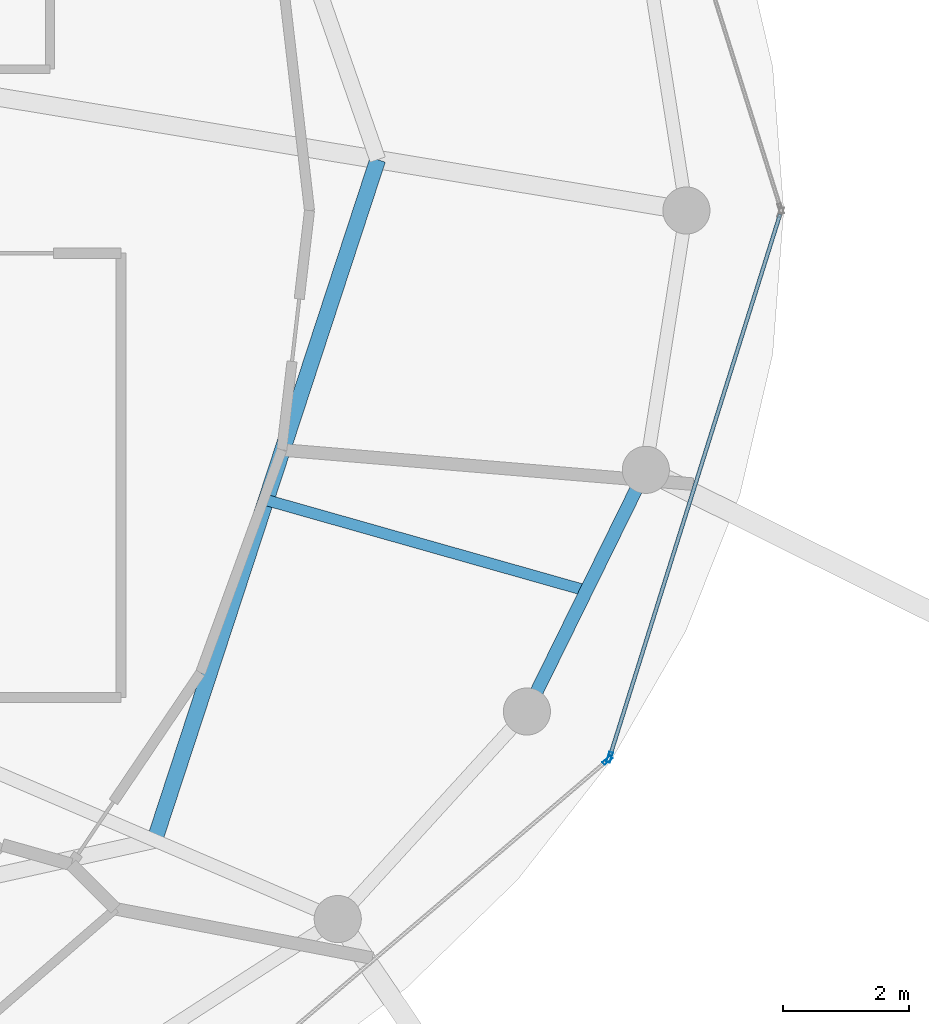
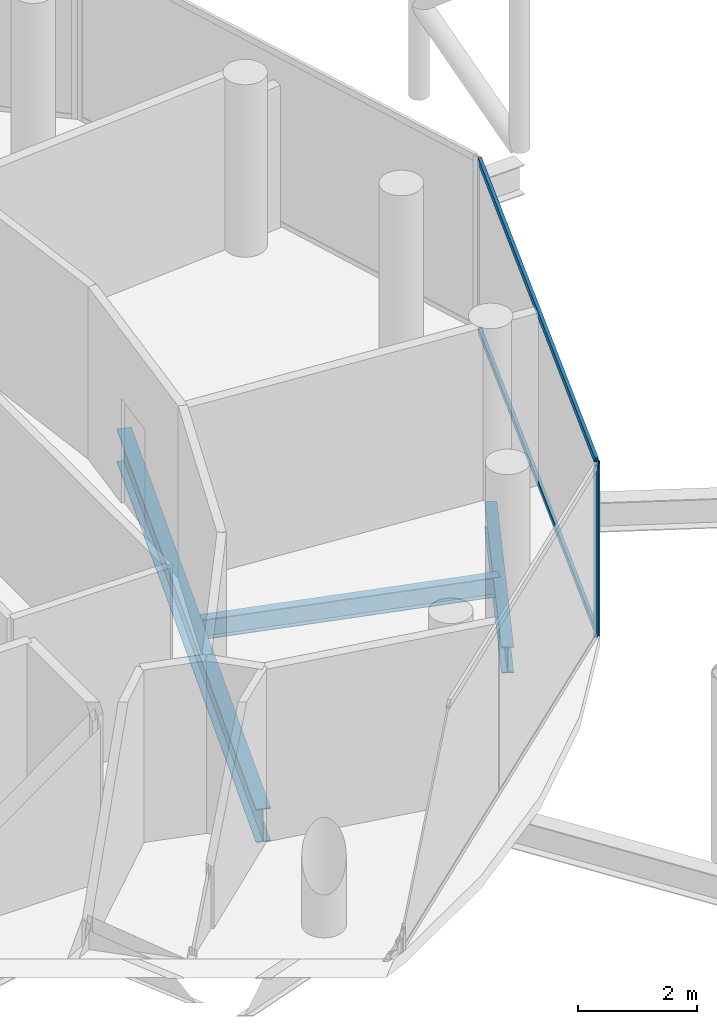
# One storey, part 10 of 24: 4 members, 3 beams, 2 elements without a shape of their own.
"""IFC4 building model written with IfcOpenShell, lengths in metres."""

from ifc_helpers import new_model, si_unit, direction, frame, origin, origin_2d, place, context, subcontext, project, spatial, hollow_rectangle, i_section, extrude, material, layer, layer_set, material_profile, profile_set, type_object, element, aggregate, save


model = new_model("IFC4")

# Units and contexts
model_context = context("Model", 3, precision=1e-05, world=origin(), true_north=direction((0.0, 1.0)))
body_context = subcontext(model_context, "Body", "Model", "MODEL_VIEW")
ifc_project = project(units=[si_unit("LENGTHUNIT", "METRE"), si_unit("AREAUNIT", "SQUARE_METRE"), si_unit("VOLUMEUNIT", "CUBIC_METRE"), si_unit("PLANEANGLEUNIT", "RADIAN"), si_unit("MASSUNIT", "GRAM", prefix="KILO")], contexts=[model_context])

# Site, building, storey
site_placement = place(None, origin())
site = spatial("IfcSite", under=ifc_project, at=site_placement, CompositionType="ELEMENT")
building_placement = place(site_placement, origin())
building = spatial("IfcBuilding", under=site, at=building_placement, Name="Nuhasar Tower", CompositionType="ELEMENT")
storey_placement = place(building_placement, frame((0.0, 0.0, 278.39990234375)))
storey = spatial("IfcBuildingStorey", under=building, at=storey_placement, Name="L69", CompositionType="ELEMENT", Elevation=278.39990234375)

# Beams
ifc_material_1 = material(Name="Steel S355", Category="steel")
ifc_material_profile_1 = material_profile(ifc_material_1, i_section(OverallWidth=0.25390625, OverallDepth=0.68408203125, WebThickness=0.012451171875, FlangeThickness=0.018798828125, at=origin_2d()), Name="W27X94")
ifc_profile_set_1 = profile_set([ifc_material_profile_1], Name="Steel S355")
beam_type_1 = type_object("IfcBeamType", Name="BM-INRING-W27X94", PredefinedType="BEAM", material=ifc_profile_set_1)
beam_1_placement = place(storey_placement, frame((49.48388671875, 16.77392578125, -0.601806640625), z_axis=(0.311483801376, 0.950251462235, 0.0), x_axis=(-0.950251462235, 0.311483801376, 0.0)))
element("IfcBeam", 1, at=beam_1_placement, inside=storey, type_object=beam_type_1, Name="L69 Inner Header Beam 03", PredefinedType="BEAM", context=body_context, shape_type="SweptSolid", body=[
    extrude(i_section(OverallWidth=0.25390625, OverallDepth=0.68408203125, WebThickness=0.012451171875, FlangeThickness=0.018798828125, at=origin_2d()), origin(), (0.0, 0.0, 1.0), 11.403564453125),
])
ifc_material_profile_2 = material_profile(ifc_material_1, i_section(OverallWidth=0.177978515625, OverallDepth=0.406005859375, WebThickness=0.0078125, FlangeThickness=0.0126953125, at=origin_2d()), Name="W16X40")
ifc_profile_set_2 = profile_set([ifc_material_profile_2], Name="Steel S355")
beam_type_2 = type_object("IfcBeamType", Name="BM-JST-W16X40", PredefinedType="JOIST", material=ifc_profile_set_2)
beam_2_placement = place(storey_placement, frame((51.260009765625, 22.19189453125, -0.462890625), z_axis=(0.962154316042, -0.272505178156, 0.0), x_axis=(0.272505178156, 0.962154316042, 0.0)))
element("IfcBeam", 2, at=beam_2_placement, inside=storey, type_object=beam_type_2, Name="L69 Secondary Floor Joist 03", PredefinedType="JOIST", context=body_context, shape_type="SweptSolid", body=[
    extrude(i_section(OverallWidth=0.177978515625, OverallDepth=0.406005859375, WebThickness=0.0078125, FlangeThickness=0.0126953125, at=origin_2d()), origin(), (0.0, 0.0, 1.0), 5.29833984375),
])
ifc_material_profile_3 = material_profile(ifc_material_1, i_section(OverallWidth=0.2099609375, OverallDepth=0.537109375, WebThickness=0.010986328125, FlangeThickness=0.017333984375, at=origin_2d()), Name="W21X68")
ifc_profile_set_3 = profile_set([ifc_material_profile_3], Name="Steel S355")
beam_type_3 = type_object("IfcBeamType", Name="BM-RING-W21X68", PredefinedType="SPANDREL", material=ifc_profile_set_3)
beam_3_placement = place(storey_placement, frame((55.410888671875, 18.824951171875, -0.52880859375), z_axis=(0.441510561726, 0.897256052576, 0.0), x_axis=(-0.897256052576, 0.441510561726, 0.0)))
element("IfcBeam", 3, at=beam_3_placement, inside=storey, type_object=beam_type_3, Name="L69 Perimeter Ring Spandrel 23", PredefinedType="SPANDREL", context=body_context, shape_type="SweptSolid", body=[
    extrude(i_section(OverallWidth=0.2099609375, OverallDepth=0.537109375, WebThickness=0.010986328125, FlangeThickness=0.017333984375, at=origin_2d()), origin(), (0.0, 0.0, 1.0), 4.28759765625),
])

# Curtain wall, member
ifc_material_2 = material(Name="Aluminium 6063-T6", Category="aluminium")
ifc_layer = layer(ifc_material_2, 0.18994140625)
ifc_layer_set = layer_set([ifc_layer], Name="Aluminium 6063-T6")
curtain_wall_type = type_object("IfcCurtainWallType", Name="CW-Z4-PEN", PredefinedType="NOTDEFINED", material=ifc_layer_set)
curtain_wall_1_placement = place(storey_placement, origin())
curtain_wall_1 = element("IfcCurtainWall", 4, at=curtain_wall_1_placement, inside=storey, type_object=curtain_wall_type, Name="L69 Unitised Curtain Wall 11", PredefinedType="NOTDEFINED")
ifc_material_profile_4 = material_profile(ifc_material_2, hollow_rectangle(XDim=0.06005859375, YDim=0.1650390625, WallThickness=0.0048828125, at=origin_2d()), Name="CWM-5")
ifc_profile_set_4 = profile_set([ifc_material_profile_4], Name="Aluminium 6063-T6")
member_type_1 = type_object("IfcMemberType", Name="CW-MUL-S5", PredefinedType="MULLION", material=ifc_profile_set_4)
member_1_placement = place(storey_placement, frame((56.6962890625, 18.050537109375, 0.0), z_axis=(0.0, 0.0, 1.0), x_axis=(-0.649141996205, 0.760667252327, 0.0)))
member_1 = element("IfcMember", 5, at=member_1_placement, type_object=member_type_1, Name="CW-Z4 mullion 2", PredefinedType="MULLION", context=body_context, shape_type="SweptSolid", body=[
    extrude(hollow_rectangle(XDim=0.06005859375, YDim=0.1650390625, WallThickness=0.0048828125, at=origin_2d()), origin(), (0.0, 0.0, 1.0), 3.5400390625),
])
aggregate(curtain_wall_1, [member_1])

# Curtain wall, members
curtain_wall_2_placement = place(storey_placement, origin())
curtain_wall_2 = element("IfcCurtainWall", 6, at=curtain_wall_2_placement, inside=storey, type_object=curtain_wall_type, Name="L69 Unitised Curtain Wall 12", PredefinedType="NOTDEFINED")
member_2_placement = place(storey_placement, frame((56.72802734375, 18.0986328125, 0.0), z_axis=(0.0, 0.0, 1.0), x_axis=(-0.954078526601, 0.299556614146, 0.0)))
member_2 = element("IfcMember", 7, at=member_2_placement, type_object=member_type_1, Name="CW-Z4 mullion 1", PredefinedType="MULLION", context=body_context, shape_type="SweptSolid", body=[
    extrude(hollow_rectangle(XDim=0.06005859375, YDim=0.1650390625, WallThickness=0.0048828125, at=origin_2d()), origin(), (0.0, 0.0, 1.0), 3.5400390625),
])
ifc_material_profile_5 = material_profile(ifc_material_2, hollow_rectangle(XDim=0.06005859375, YDim=0.135009765625, WallThickness=0.00439453125, at=origin_2d()), Name="CWT-5")
ifc_profile_set_5 = profile_set([ifc_material_profile_5], Name="Aluminium 6063-T6")
member_type_2 = type_object("IfcMemberType", Name="CW-TRN-S5", PredefinedType="USERDEFINED", material=ifc_profile_set_5)
member_3_placement = place(storey_placement, frame((56.737060546875, 18.127197265625, 0.030029296875), z_axis=(0.29956014073, 0.954077419335, 0.0), x_axis=(-0.954077419335, 0.29956014073, 0.0)))
member_3 = element("IfcMember", 8, at=member_3_placement, type_object=member_type_2, Name="CW-Z4 transom 1.1", ObjectType="TRANSOM", PredefinedType="USERDEFINED", context=body_context, shape_type="SweptSolid", body=[
    extrude(hollow_rectangle(XDim=0.06005859375, YDim=0.135009765625, WallThickness=0.00439453125, at=origin_2d()), origin(), (0.0, 0.0, 1.0), 9.0302734375),
])
member_4_placement = place(storey_placement, frame((56.737060546875, 18.127197265625, 3.510009765625), z_axis=(0.29956014073, 0.954077419335, 0.0), x_axis=(-0.954077419335, 0.29956014073, 0.0)))
member_4 = element("IfcMember", 9, at=member_4_placement, type_object=member_type_2, Name="CW-Z4 transom 1.2", ObjectType="TRANSOM", PredefinedType="USERDEFINED", context=body_context, shape_type="SweptSolid", body=[
    extrude(hollow_rectangle(XDim=0.06005859375, YDim=0.135009765625, WallThickness=0.00439453125, at=origin_2d()), origin(), (0.0, 0.0, 1.0), 9.0302734375),
])
aggregate(curtain_wall_2, [member_2, member_3, member_4])

save(model, "model.ifc")
